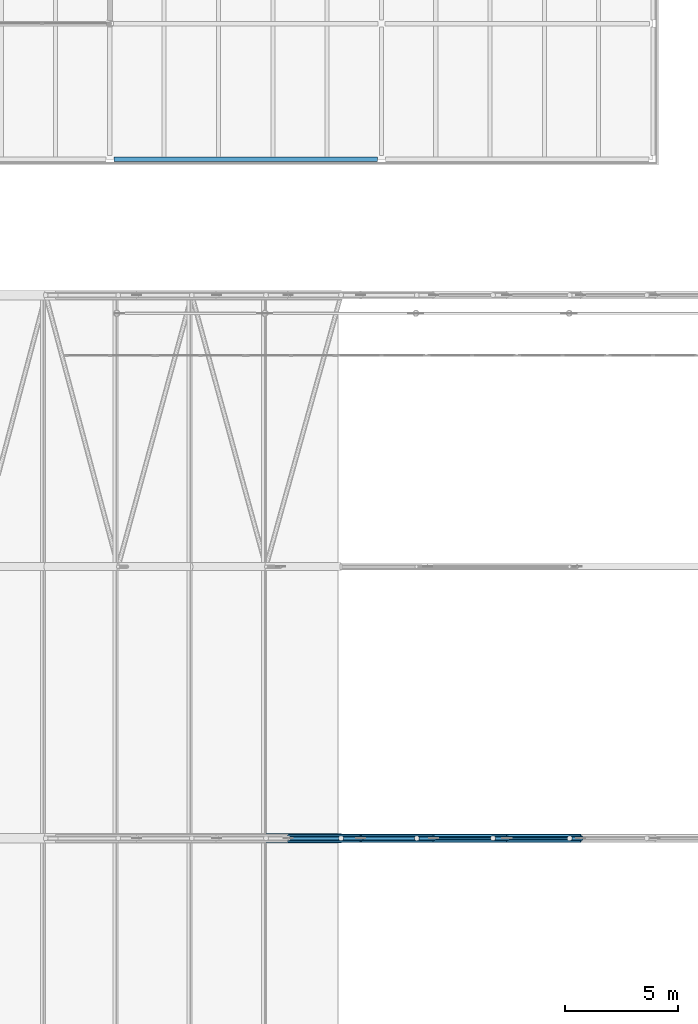
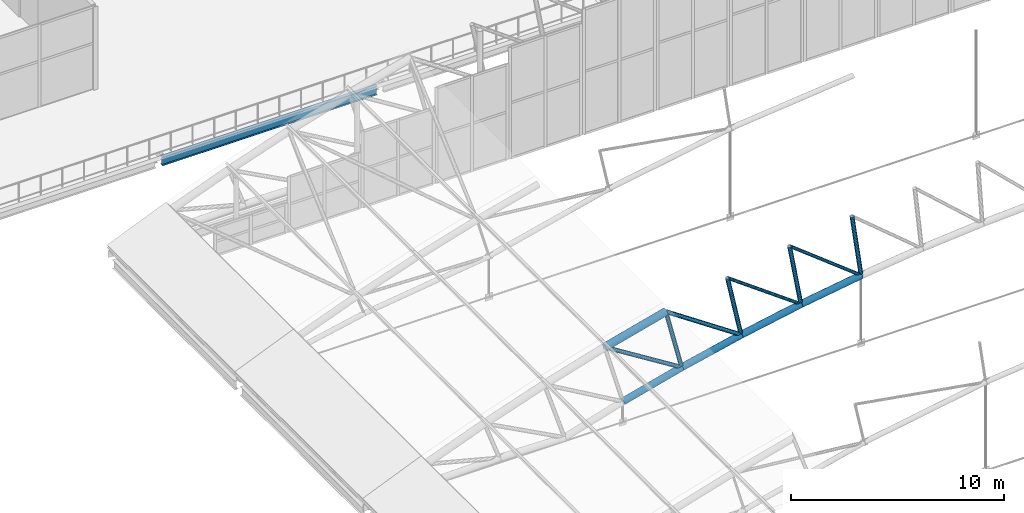
# One storey, part 168 of 321: 13 members, 1 beam.
"""IFC4 building model written with IfcOpenShell, lengths in metres."""

from ifc_helpers import new_model, si_unit, direction, frame, origin, origin_2d, place, context, subcontext, project, spatial, hollow_circle, i_section, extrude, material, material_profile, profile_set, type_object, element, save


model = new_model("IFC4")

# Units and contexts
model_context = context("Model", 3, precision=1e-05, world=origin(), true_north=direction((0.0, 1.0)))
body_context = subcontext(model_context, "Body", "Model", "MODEL_VIEW")
ifc_project = project(units=[si_unit("LENGTHUNIT", "METRE"), si_unit("AREAUNIT", "SQUARE_METRE"), si_unit("VOLUMEUNIT", "CUBIC_METRE"), si_unit("PLANEANGLEUNIT", "RADIAN"), si_unit("MASSUNIT", "GRAM", prefix="KILO")], contexts=[model_context])

# Site, building, storey
site_placement = place(None, origin())
site = spatial("IfcSite", under=ifc_project, at=site_placement, CompositionType="ELEMENT")
building_placement = place(site_placement, origin())
building = spatial("IfcBuilding", under=site, at=building_placement, Name="Ravi Spectrum Wholesale Market", CompositionType="ELEMENT")
storey_placement = place(building_placement, frame((0.0, 0.0, 10.800048828125)))
storey = spatial("IfcBuildingStorey", under=building, at=storey_placement, Name="L02", CompositionType="ELEMENT", Elevation=10.800048828125)

# Members
ifc_material_1 = material(Name="Steel S355", Category="steel")
ifc_material_profile_1 = material_profile(ifc_material_1, hollow_circle(Radius=0.084228515625, WallThickness=0.00634765625, at=origin_2d()))
ifc_profile_set_1 = profile_set([ifc_material_profile_1], Name="Steel S355")
member_type_1 = type_object("IfcMemberType", Name="CHS 168.3x6.3 brace", PredefinedType="BRACE", material=ifc_profile_set_1)
for number, where, z_axis, x_axis, name in (
    (1, (49.563720703125, 174.0, 6.27734375), (0.808703958366, 0.0, -0.588215868303), (0.0, 1.0, 0.0), "H1-MB-L02-1049"),
    (2, (52.9326171875, 174.0, 6.92431640625), (0.787944778548, 0.0, -0.615745910225), (0.0, 1.0, 0.0), "H1-MB-L02-1050"),
):
    element("IfcMember", number, at=place(storey_placement, frame(where, z_axis=z_axis, x_axis=x_axis)), inside=storey, type_object=member_type_1, Name=name, PredefinedType="BRACE", context=body_context, shape_type="SweptSolid", body=[
        extrude(hollow_circle(Radius=0.084228515625, WallThickness=0.00634765625, at=origin_2d()), origin(), (0.0, 0.0, 1.0), 4.9296875),
    ])
ifc_material_2 = material(Name="Steel S355", Category="steel")
ifc_material_profile_2 = material_profile(ifc_material_2, hollow_circle(Radius=0.109619140625, WallThickness=0.008056640625, at=origin_2d()))
ifc_profile_set_2 = profile_set([ifc_material_profile_2], Name="Steel S355")
member_type_2 = type_object("IfcMemberType", Name="CHS 219.1x8 brace", PredefinedType="BRACE", material=ifc_profile_set_2)
for number, where, z_axis, x_axis, name in (
    (3, (42.903076171875, 174.0, 4.63671875), (0.847368909482, 0.0, -0.531004643335), (0.0, 1.0, 0.0), "H1-MB-L02-1047"),
    (4, (46.21923828125, 174.0, 5.514404296875), (0.828544259915, 0.0, -0.559923574573), (0.0, 1.0, 0.0), "H1-MB-L02-1048"),
):
    element("IfcMember", number, at=place(storey_placement, frame(where, z_axis=z_axis, x_axis=x_axis)), inside=storey, type_object=member_type_2, Name=name, PredefinedType="BRACE", context=body_context, shape_type="SweptSolid", body=[
        extrude(hollow_circle(Radius=0.109619140625, WallThickness=0.008056640625, at=origin_2d()), origin(), (0.0, 0.0, 1.0), 4.9296875),
    ])
ifc_material_3 = material(Name="Steel S355", Category="steel")
ifc_material_profile_3 = material_profile(ifc_material_3, hollow_circle(Radius=0.109619140625, WallThickness=0.008056640625, at=origin_2d()))
ifc_profile_set_3 = profile_set([ifc_material_profile_3], Name="Steel S355")
member_type_3 = type_object("IfcMemberType", Name="CHS 219.1x8 post", PredefinedType="POST", material=ifc_profile_set_3)
member_1_placement = place(storey_placement, frame((46.21923828125, 174.0, 5.514404296875), z_axis=(0.239199072456, 0.0, -0.970970547306), x_axis=(0.0, 1.0, 0.0)))
element("IfcMember", 5, at=member_1_placement, inside=storey, type_object=member_type_3, Name="H1-MB-L02-1025", PredefinedType="POST", context=body_context, shape_type="SweptSolid", body=[
    extrude(hollow_circle(Radius=0.109619140625, WallThickness=0.008056640625, at=origin_2d()), origin(), (0.0, 0.0, 1.0), 3.599853515625),
])
for number, where, z_axis, x_axis, name in (
    (6, (49.563720703125, 174.0, 6.27734375), (0.205549060287, 0.0, -0.978646812602), (0.0, 1.0, 0.0), "H1-MB-L02-1026"),
    (7, (52.9326171875, 174.0, 6.92431640625), (0.171575852457, 0.0, -0.985170912509), (0.0, 1.0, 0.0), "H1-MB-L02-1027"),
):
    element("IfcMember", number, at=place(storey_placement, frame(where, z_axis=z_axis, x_axis=x_axis)), inside=storey, type_object=member_type_3, Name=name, PredefinedType="POST", context=body_context, shape_type="SweptSolid", body=[
        extrude(hollow_circle(Radius=0.109619140625, WallThickness=0.008056640625, at=origin_2d()), origin(), (0.0, 0.0, 1.0), 3.60009765625),
    ])
member_2_placement = place(storey_placement, frame((56.321533203125, 174.0, 7.45458984375), z_axis=(0.137603486835, 0.0, -0.990487395382), x_axis=(0.0, 1.0, 0.0)))
element("IfcMember", 8, at=member_2_placement, inside=storey, type_object=member_type_3, Name="H1-MB-L02-1028", PredefinedType="POST", context=body_context, shape_type="SweptSolid", body=[
    extrude(hollow_circle(Radius=0.109619140625, WallThickness=0.008056640625, at=origin_2d()), origin(), (0.0, 0.0, 1.0), 3.599853515625),
])
ifc_material_4 = material(Name="Steel S355", Category="steel")
ifc_material_profile_4 = material_profile(ifc_material_4, hollow_circle(Radius=0.177734375, WallThickness=0.012451171875, at=origin_2d()))
ifc_profile_set_4 = profile_set([ifc_material_profile_4], Name="Steel S355")
member_type_4 = type_object("IfcMemberType", Name="CHS 355.6x12.5 chord", PredefinedType="CHORD", material=ifc_profile_set_4)
for number, where, z_axis, x_axis, name in (
    (9, (43.88427734375, 174.0, 1.173095703125), (0.966710063159, 0.0, 0.255874292938), (0.0, 1.0, 0.0), "H1-MB-L02-1001"),
    (10, (47.080322265625, 174.0, 2.01904296875), (0.974967923727, 0.0, 0.222345559217), (0.0, 1.0, 0.0), "H1-MB-L02-1002"),
):
    element("IfcMember", number, at=place(storey_placement, frame(where, z_axis=z_axis, x_axis=x_axis)), inside=storey, type_object=member_type_4, Name=name, PredefinedType="CHORD", context=body_context, shape_type="SweptSolid", body=[
        extrude(hollow_circle(Radius=0.177734375, WallThickness=0.012451171875, at=origin_2d()), origin(), (0.0, 0.0, 1.0), 3.30615234375),
    ])
member_3_placement = place(storey_placement, frame((50.3037109375, 174.0, 2.754150390625), z_axis=(0.982051718756, 0.0, 0.188611828072), x_axis=(0.0, 1.0, 0.0)))
element("IfcMember", 11, at=member_3_placement, inside=storey, type_object=member_type_4, Name="H1-MB-L02-1003", PredefinedType="CHORD", context=body_context, shape_type="SweptSolid", body=[
    extrude(hollow_circle(Radius=0.177734375, WallThickness=0.012451171875, at=origin_2d()), origin(), (0.0, 0.0, 1.0), 3.305908203125),
])
member_4_placement = place(storey_placement, frame((53.55029296875, 174.0, 3.377685546875), z_axis=(0.987973992944, 0.0, 0.154620145084), x_axis=(0.0, 1.0, 0.0)))
element("IfcMember", 12, at=member_4_placement, inside=storey, type_object=member_type_4, Name="H1-MB-L02-1004", PredefinedType="CHORD", context=body_context, shape_type="SweptSolid", body=[
    extrude(hollow_circle(Radius=0.177734375, WallThickness=0.012451171875, at=origin_2d()), origin(), (0.0, 0.0, 1.0), 3.306396484375),
])
ifc_material_5 = material(Name="Steel S355", Category="steel")
ifc_material_profile_5 = material_profile(ifc_material_5, hollow_circle(Radius=0.203125, WallThickness=0.01611328125, at=origin_2d()))
ifc_profile_set_5 = profile_set([ifc_material_profile_5], Name="Steel S355")
member_type_5 = type_object("IfcMemberType", Name="CHS 406.4x16 chord", PredefinedType="CHORD", material=ifc_profile_set_5)
member_5_placement = place(storey_placement, frame((42.903076171875, 174.0, 4.63671875), z_axis=(0.966714030155, 0.0, 0.255859304896), x_axis=(0.0, 1.0, 0.0)))
element("IfcMember", 13, at=member_5_placement, inside=storey, type_object=member_type_5, Name="H1-MB-L02-977", PredefinedType="CHORD", context=body_context, shape_type="SweptSolid", body=[
    extrude(hollow_circle(Radius=0.203125, WallThickness=0.01611328125, at=origin_2d()), origin(), (0.0, 0.0, 1.0), 3.430419921875),
])

# Beam
ifc_material_6 = material(Name="Steel S355", Category="steel")
ifc_material_profile_6 = material_profile(ifc_material_6, i_section(OverallWidth=0.199951171875, OverallDepth=0.5, WebThickness=0.01025390625, FlangeThickness=0.01611328125, at=origin_2d()))
ifc_profile_set_6 = profile_set([ifc_material_profile_6], Name="Steel S355")
beam_type = type_object("IfcBeamType", Name="IPE 500 beam", PredefinedType="BEAM", material=ifc_profile_set_6)
beam_placement = place(storey_placement, frame((36.177734375, 204.0, -0.5), z_axis=(1.0, 0.0, 0.0), x_axis=(0.0, 1.0, 0.0)))
element("IfcBeam", 14, at=beam_placement, inside=storey, type_object=beam_type, Name="OF-BM-L02-003", PredefinedType="BEAM", context=body_context, shape_type="SweptSolid", body=[
    extrude(i_section(OverallWidth=0.199951171875, OverallDepth=0.5, WebThickness=0.01025390625, FlangeThickness=0.01611328125, at=origin_2d()), origin(), (0.0, 0.0, 1.0), 11.64453125),
])

save(model, "model.ifc")
